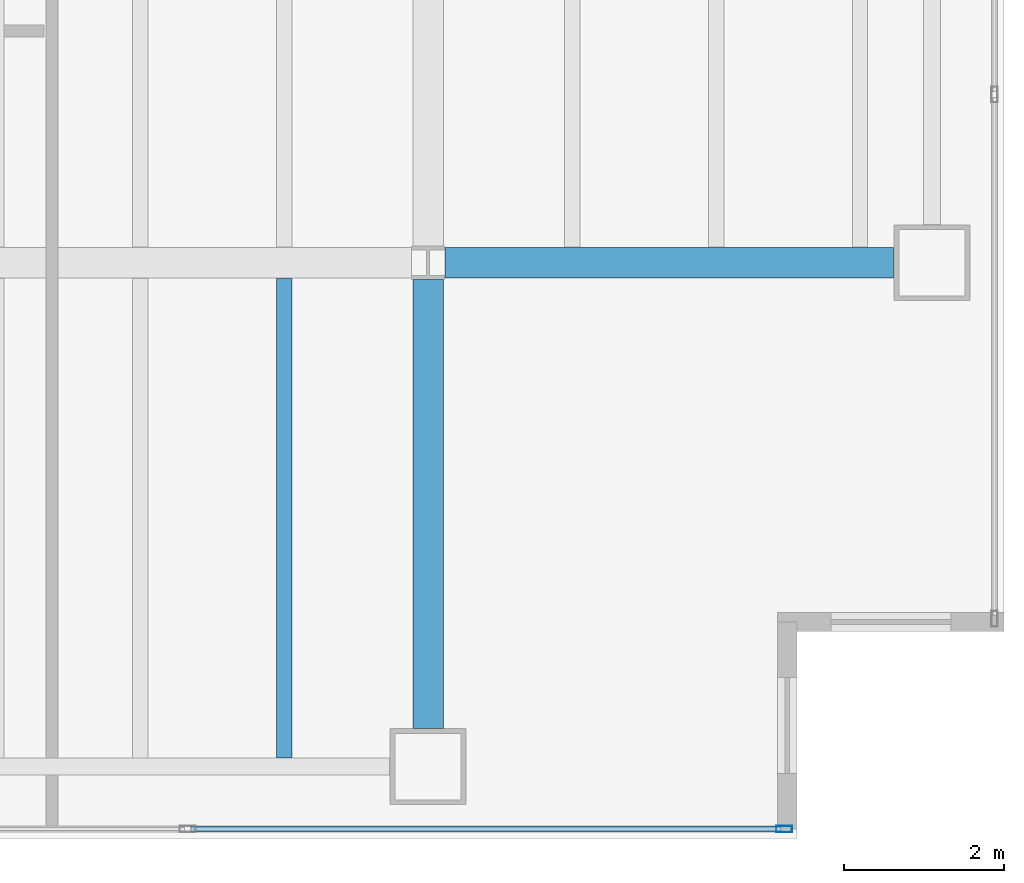
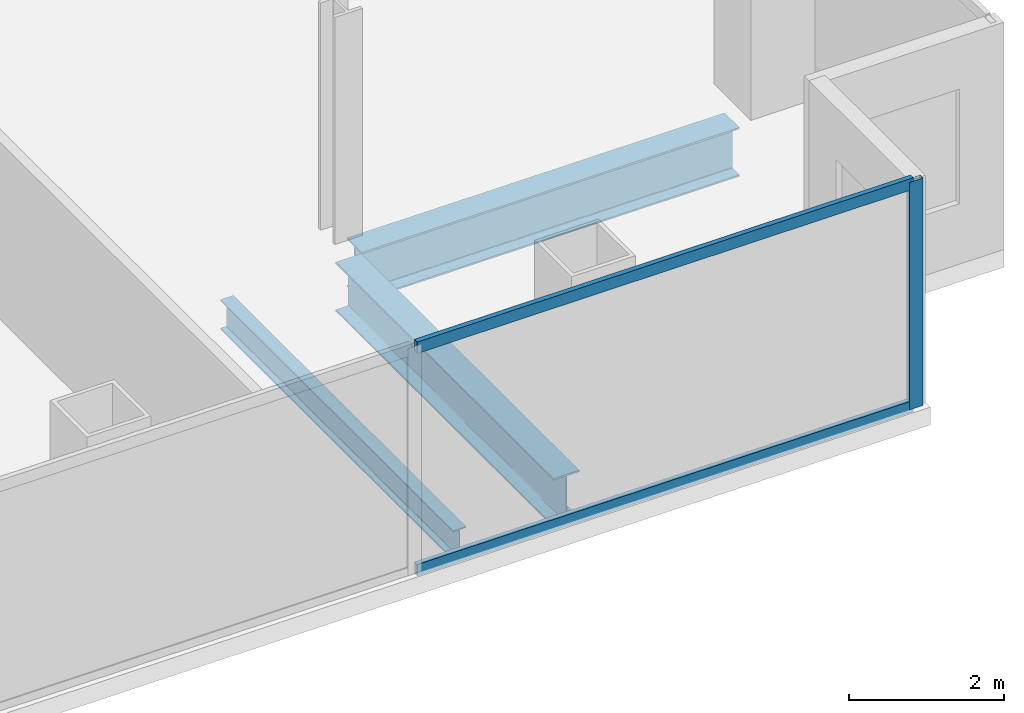
# One storey, part 8 of 23: 3 beams, 3 members, 1 element without a shape of its own.
"""IFC4 building model written with IfcOpenShell, lengths in metres."""

from ifc_helpers import new_model, si_unit, direction, frame, origin, origin_2d, place, context, subcontext, project, spatial, hollow_rectangle, i_section, extrude, material, material_profile, profile_set, type_object, element, aggregate, save


model = new_model("IFC4")

# Units and contexts
model_context = context("Model", 3, precision=1e-05, world=origin(), true_north=direction((0.0, 1.0)))
body_context = subcontext(model_context, "Body", "Model", "MODEL_VIEW")
ifc_project = project(units=[si_unit("LENGTHUNIT", "METRE"), si_unit("AREAUNIT", "SQUARE_METRE"), si_unit("VOLUMEUNIT", "CUBIC_METRE"), si_unit("PLANEANGLEUNIT", "RADIAN"), si_unit("MASSUNIT", "GRAM", prefix="KILO")], contexts=[model_context])

# Site, building, storey
site_placement = place(None, origin())
site = spatial("IfcSite", under=ifc_project, at=site_placement, CompositionType="ELEMENT")
building_placement = place(site_placement, origin())
building = spatial("IfcBuilding", under=site, at=building_placement, Name="Cobrela Telecom Tower", CompositionType="ELEMENT")
storey_placement = place(building_placement, frame((0.0, 0.0, 88.89990234375)))
storey = spatial("IfcBuildingStorey", under=building, at=storey_placement, Name="L22", CompositionType="ELEMENT", Elevation=88.89990234375)

# Beams
ifc_material_1 = material(Name="Steel ASTM A992 Grade 50", Category="steel")
ifc_material_profile_1 = material_profile(ifc_material_1, i_section(OverallWidth=0.381103515625, OverallDepth=0.77197265625, WebThickness=0.0166015625, FlangeThickness=0.027099609375, FilletRadius=0.01904296875, at=origin_2d()), Name="W30X173")
ifc_profile_set_1 = profile_set([ifc_material_profile_1], Name="Steel ASTM A992 Grade 50")
beam_type_1 = type_object("IfcBeamType", Name="BM-GIRD-04", PredefinedType="USERDEFINED", material=ifc_profile_set_1)
for number, where, z_axis, x_axis, name in (
    (1, (43.409423828125, 7.199951171875, -0.666015625), (1.0, 0.0, 0.0), (0.0, 1.0, 0.0), "L22 Primary Girder X12"),
    (2, (43.199951171875, 1.3798828125, -0.666015625), (0.0, 1.0, 0.0), (-1.0, 0.0, 0.0), "L22 Primary Girder Y53"),
):
    element("IfcBeam", number, at=place(storey_placement, frame(where, z_axis=z_axis, x_axis=x_axis)), inside=storey, type_object=beam_type_1, Name=name, ObjectType="GIRDER", PredefinedType="USERDEFINED", context=body_context, shape_type="SweptSolid", body=[
        extrude(i_section(OverallWidth=0.381103515625, OverallDepth=0.77197265625, WebThickness=0.0166015625, FlangeThickness=0.027099609375, FilletRadius=0.01904296875, at=origin_2d()), origin(), (0.0, 0.0, 1.0), 5.610595703125),
    ])
ifc_material_profile_2 = material_profile(ifc_material_1, i_section(OverallWidth=0.193115234375, OverallDepth=0.467041015625, WebThickness=0.011474609375, FlangeThickness=0.01904296875, FilletRadius=0.012939453125, at=origin_2d()), Name="W18X65")
ifc_profile_set_2 = profile_set([ifc_material_profile_2], Name="Steel ASTM A992 Grade 50")
beam_type_2 = type_object("IfcBeamType", Name="BM-JOIST-03", PredefinedType="JOIST", material=ifc_profile_set_2)
beam_placement = place(storey_placement, frame((41.39990234375, 1.011474609375, -0.513427734375), z_axis=(0.0, 1.0, 0.0), x_axis=(-1.0, 0.0, 0.0)))
element("IfcBeam", 3, at=beam_placement, inside=storey, type_object=beam_type_2, Name="L22 Secondary Composite Floor Beam J56", PredefinedType="JOIST", context=body_context, shape_type="SweptSolid", body=[
    extrude(i_section(OverallWidth=0.193115234375, OverallDepth=0.467041015625, WebThickness=0.011474609375, FlangeThickness=0.01904296875, FilletRadius=0.012939453125, at=origin_2d()), origin(), (0.0, 0.0, 1.0), 5.992919921875),
])

# Curtain wall, members
ifc_material_2 = material(Name="Anodized Bronze Aluminium 6063-T6", Category="aluminium")
curtain_wall_type = type_object("IfcCurtainWallType", Name="CW-SYS-DATA", PredefinedType="USERDEFINED", material=ifc_material_2)
curtain_wall_placement = place(storey_placement, origin())
curtain_wall = element("IfcCurtainWall", 4, at=curtain_wall_placement, inside=storey, type_object=curtain_wall_type, Name="L22 Unitised Bronze Curtain Wall 17", ObjectType="UNITISED CURTAIN WALL", PredefinedType="USERDEFINED")
ifc_material_profile_3 = material_profile(ifc_material_2, hollow_rectangle(XDim=0.080078125, YDim=0.199951171875, WallThickness=0.00390625, at=origin_2d()), Name="ALU 80x200x4")
ifc_profile_set_3 = profile_set([ifc_material_profile_3], Name="Anodized Bronze Aluminium 6063-T6")
member_type_1 = type_object("IfcMemberType", Name="CW-SYS-DATA-MUL", PredefinedType="MULLION", material=ifc_profile_set_3)
member_1_placement = place(storey_placement, frame((47.64990234375, 0.1201171875, 0.0), z_axis=(0.0, 0.0, 1.0), x_axis=(0.0, -1.0, 0.0)))
member_1 = element("IfcMember", 5, at=member_1_placement, type_object=member_type_1, Name="CW-DATA mullion 1", PredefinedType="MULLION", context=body_context, shape_type="SweptSolid", body=[
    extrude(hollow_rectangle(XDim=0.080078125, YDim=0.199951171875, WallThickness=0.00390625, at=origin_2d()), origin(), (0.0, 0.0, 1.0), 3.570068359375),
])
ifc_material_profile_4 = material_profile(ifc_material_2, hollow_rectangle(XDim=0.074951171875, YDim=0.179931640625, WallThickness=0.00390625, at=origin_2d()), Name="ALU 75x180x4")
ifc_profile_set_4 = profile_set([ifc_material_profile_4], Name="Anodized Bronze Aluminium 6063-T6")
member_type_2 = type_object("IfcMemberType", Name="CW-SYS-DATA-TRN", PredefinedType="USERDEFINED", material=ifc_profile_set_4)
member_2_placement = place(storey_placement, frame((47.610107421875, 0.1201171875, 0.03759765625), z_axis=(-1.0, 0.0, 0.0), x_axis=(0.0, -1.0, 0.0)))
member_2 = element("IfcMember", 6, at=member_2_placement, type_object=member_type_2, Name="CW-DATA transom 1.1", ObjectType="TRANSOM", PredefinedType="USERDEFINED", context=body_context, shape_type="SweptSolid", body=[
    extrude(hollow_rectangle(XDim=0.074951171875, YDim=0.179931640625, WallThickness=0.00390625, at=origin_2d()), origin(), (0.0, 0.0, 1.0), 7.376708984375),
])
member_3_placement = place(storey_placement, frame((47.610107421875, 0.1201171875, 3.53271484375), z_axis=(-1.0, 0.0, 0.0), x_axis=(0.0, -1.0, 0.0)))
member_3 = element("IfcMember", 7, at=member_3_placement, type_object=member_type_2, Name="CW-DATA transom 1.2", ObjectType="TRANSOM", PredefinedType="USERDEFINED", context=body_context, shape_type="SweptSolid", body=[
    extrude(hollow_rectangle(XDim=0.074951171875, YDim=0.179931640625, WallThickness=0.00390625, at=origin_2d()), origin(), (0.0, 0.0, 1.0), 7.376708984375),
])
aggregate(curtain_wall, [member_1, member_2, member_3])

save(model, "model.ifc")
